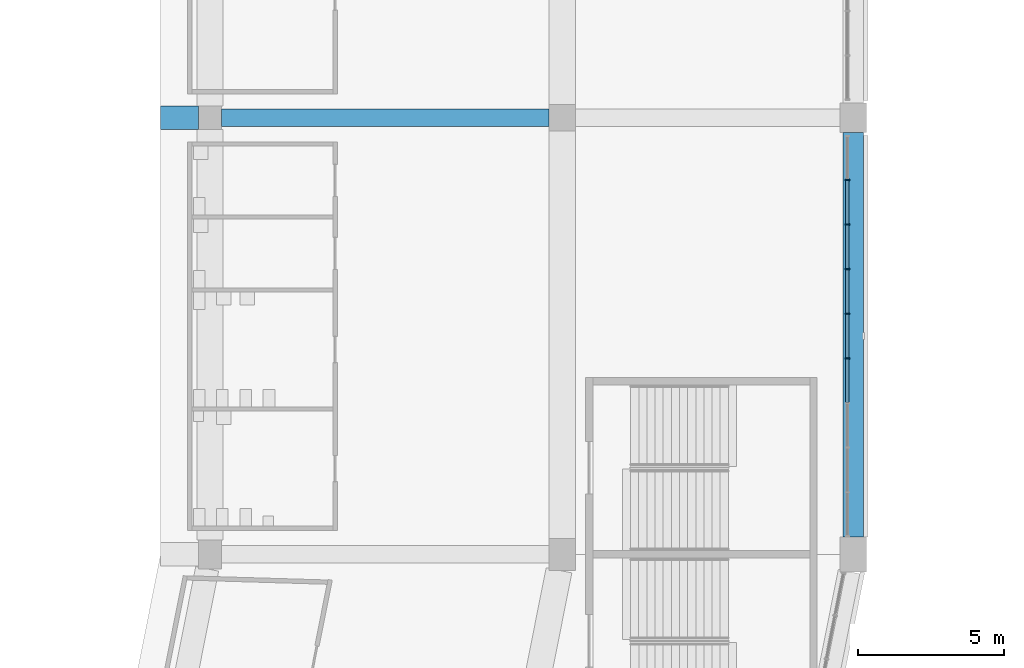
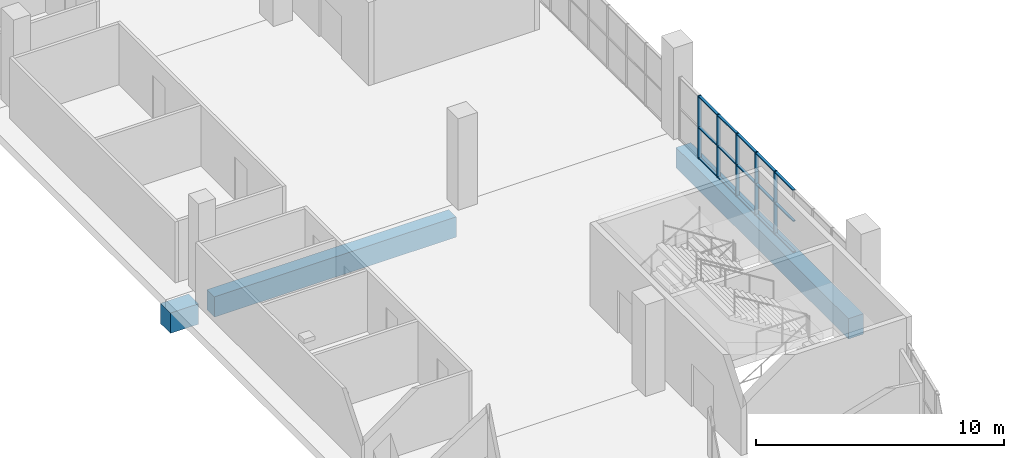
# One storey, part 27 of 199: 20 members, 3 beams, 1 element without a shape of its own.
"""IFC4 building model written with IfcOpenShell, lengths in metres."""

from ifc_helpers import new_model, si_unit, direction, frame, origin, origin_2d, place, context, subcontext, project, spatial, rectangle, extrude, material, material_profile, profile_set, type_object, element, aggregate, save


model = new_model("IFC4")

# Units and contexts
model_context = context("Model", 3, precision=1e-05, world=origin(), true_north=direction((0.0, 1.0)))
body_context = subcontext(model_context, "Body", "Model", "MODEL_VIEW")
ifc_project = project(units=[si_unit("LENGTHUNIT", "METRE"), si_unit("AREAUNIT", "SQUARE_METRE"), si_unit("VOLUMEUNIT", "CUBIC_METRE"), si_unit("PLANEANGLEUNIT", "RADIAN"), si_unit("MASSUNIT", "GRAM", prefix="KILO")], contexts=[model_context])

# Site, building, storey
site_placement = place(None, origin())
site = spatial("IfcSite", under=ifc_project, at=site_placement, CompositionType="ELEMENT")
building_placement = place(site_placement, origin())
building = spatial("IfcBuilding", under=site, at=building_placement, Name="Ogive Plaza Stadium", CompositionType="ELEMENT")
storey_placement = place(building_placement, frame((0.0, 0.0, 4.5)))
storey = spatial("IfcBuildingStorey", under=building, at=storey_placement, Name="L01", CompositionType="ELEMENT", Elevation=4.5)

# Curtain wall, members
ifc_material_1 = material(Name="Bronze-anodised aluminium with laminated glass", Category="aluminium")
curtain_wall_type = type_object("IfcCurtainWallType", Name="Lancet curtain wall", PredefinedType="NOTDEFINED", material=ifc_material_1)
curtain_wall_placement = place(storey_placement, origin())
curtain_wall = element("IfcCurtainWall", 1, at=curtain_wall_placement, inside=storey, type_object=curtain_wall_type, Name="CURTAIN WALL B07 L01", PredefinedType="NOTDEFINED")
ifc_material_2 = material(Name="Bronze-anodised aluminium", Category="aluminium")
ifc_material_profile_1 = material_profile(ifc_material_2, rectangle(XDim=0.14990234375, YDim=0.050048828125, at=origin_2d()), Name="AL 150x50")
ifc_profile_set_1 = profile_set([ifc_material_profile_1], Name="Bronze-anodised aluminium")
member_type_1 = type_object("IfcMemberType", Name="Curtain wall mullion 50x150", PredefinedType="MULLION", material=ifc_profile_set_1)
member_1_placement = place(storey_placement, frame((83.800048828125, -39.63330078125, 0.0), z_axis=(0.0, 0.0, 1.0), x_axis=(1.0, 0.0, 0.0)))
member_1 = element("IfcMember", 2, at=member_1_placement, type_object=member_type_1, Name="CW-B07-L01 mullion 2", PredefinedType="MULLION", context=body_context, shape_type="SweptSolid", body=[
    extrude(rectangle(XDim=0.14990234375, YDim=0.050048828125, at=origin_2d()), origin(), (0.0, 0.0, 1.0), 3.090087890625),
])
member_2_placement = place(storey_placement, frame((83.800048828125, -41.166748046875, 0.0), z_axis=(0.0, 0.0, 1.0), x_axis=(1.0, 0.0, 0.0)))
member_2 = element("IfcMember", 3, at=member_2_placement, type_object=member_type_1, Name="CW-B07-L01 mullion 3", PredefinedType="MULLION", context=body_context, shape_type="SweptSolid", body=[
    extrude(rectangle(XDim=0.14990234375, YDim=0.050048828125, at=origin_2d()), origin(), (0.0, 0.0, 1.0), 3.090087890625),
])
member_3_placement = place(storey_placement, frame((83.800048828125, -42.699951171875, 0.0), z_axis=(0.0, 0.0, 1.0), x_axis=(1.0, 0.0, 0.0)))
member_3 = element("IfcMember", 4, at=member_3_placement, type_object=member_type_1, Name="CW-B07-L01 mullion 4", PredefinedType="MULLION", context=body_context, shape_type="SweptSolid", body=[
    extrude(rectangle(XDim=0.14990234375, YDim=0.050048828125, at=origin_2d()), origin(), (0.0, 0.0, 1.0), 3.090087890625),
])
member_4_placement = place(storey_placement, frame((83.800048828125, -44.2333984375, 0.0), z_axis=(0.0, 0.0, 1.0), x_axis=(1.0, 0.0, 0.0)))
member_4 = element("IfcMember", 5, at=member_4_placement, type_object=member_type_1, Name="CW-B07-L01 mullion 5", PredefinedType="MULLION", context=body_context, shape_type="SweptSolid", body=[
    extrude(rectangle(XDim=0.14990234375, YDim=0.050048828125, at=origin_2d()), origin(), (0.0, 0.0, 1.0), 3.090087890625),
])
member_5_placement = place(storey_placement, frame((83.800048828125, -45.7666015625, 0.0), z_axis=(0.0, 0.0, 1.0), x_axis=(1.0, 0.0, 0.0)))
member_5 = element("IfcMember", 6, at=member_5_placement, type_object=member_type_1, Name="CW-B07-L01 mullion 6", PredefinedType="MULLION", context=body_context, shape_type="SweptSolid", body=[
    extrude(rectangle(XDim=0.14990234375, YDim=0.050048828125, at=origin_2d()), origin(), (0.0, 0.0, 1.0), 3.090087890625),
])
ifc_material_3 = material(Name="Bronze-anodised aluminium", Category="aluminium")
ifc_material_profile_2 = material_profile(ifc_material_3, rectangle(XDim=0.1201171875, YDim=0.050048828125, at=origin_2d()), Name="AL 120x50")
ifc_profile_set_2 = profile_set([ifc_material_profile_2], Name="Bronze-anodised aluminium")
member_type_2 = type_object("IfcMemberType", Name="Curtain wall transom 50x120", PredefinedType="USERDEFINED", material=ifc_profile_set_2)
member_6_placement = place(storey_placement, frame((83.800048828125, -39.658447265625, 0.02490234375), z_axis=(0.0, -1.0, 0.0), x_axis=(1.0, 0.0, 0.0)))
member_6 = element("IfcMember", 7, at=member_6_placement, type_object=member_type_2, Name="CW-B07-L01 transom 2.1", ObjectType="TRANSOM", PredefinedType="USERDEFINED", context=body_context, shape_type="SweptSolid", body=[
    extrude(rectangle(XDim=0.1201171875, YDim=0.050048828125, at=origin_2d()), origin(), (0.0, 0.0, 1.0), 1.483154296875),
])
member_7_placement = place(storey_placement, frame((83.800048828125, -39.658447265625, 1.544921875), z_axis=(0.0, -1.0, 0.0), x_axis=(1.0, 0.0, 0.0)))
member_7 = element("IfcMember", 8, at=member_7_placement, type_object=member_type_2, Name="CW-B07-L01 transom 2.2", ObjectType="TRANSOM", PredefinedType="USERDEFINED", context=body_context, shape_type="SweptSolid", body=[
    extrude(rectangle(XDim=0.1201171875, YDim=0.050048828125, at=origin_2d()), origin(), (0.0, 0.0, 1.0), 1.483154296875),
])
member_8_placement = place(storey_placement, frame((83.800048828125, -39.658447265625, 3.06494140625), z_axis=(0.0, -1.0, 0.0), x_axis=(1.0, 0.0, 0.0)))
member_8 = element("IfcMember", 9, at=member_8_placement, type_object=member_type_2, Name="CW-B07-L01 transom 2.3", ObjectType="TRANSOM", PredefinedType="USERDEFINED", context=body_context, shape_type="SweptSolid", body=[
    extrude(rectangle(XDim=0.1201171875, YDim=0.050048828125, at=origin_2d()), origin(), (0.0, 0.0, 1.0), 1.483154296875),
])
member_9_placement = place(storey_placement, frame((83.800048828125, -41.191650390625, 0.02490234375), z_axis=(0.0, -1.0, 0.0), x_axis=(1.0, 0.0, 0.0)))
member_9 = element("IfcMember", 10, at=member_9_placement, type_object=member_type_2, Name="CW-B07-L01 transom 3.1", ObjectType="TRANSOM", PredefinedType="USERDEFINED", context=body_context, shape_type="SweptSolid", body=[
    extrude(rectangle(XDim=0.1201171875, YDim=0.050048828125, at=origin_2d()), origin(), (0.0, 0.0, 1.0), 1.4833984375),
])
member_10_placement = place(storey_placement, frame((83.800048828125, -41.191650390625, 1.544921875), z_axis=(0.0, -1.0, 0.0), x_axis=(1.0, 0.0, 0.0)))
member_10 = element("IfcMember", 11, at=member_10_placement, type_object=member_type_2, Name="CW-B07-L01 transom 3.2", ObjectType="TRANSOM", PredefinedType="USERDEFINED", context=body_context, shape_type="SweptSolid", body=[
    extrude(rectangle(XDim=0.1201171875, YDim=0.050048828125, at=origin_2d()), origin(), (0.0, 0.0, 1.0), 1.4833984375),
])
member_11_placement = place(storey_placement, frame((83.800048828125, -41.191650390625, 3.06494140625), z_axis=(0.0, -1.0, 0.0), x_axis=(1.0, 0.0, 0.0)))
member_11 = element("IfcMember", 12, at=member_11_placement, type_object=member_type_2, Name="CW-B07-L01 transom 3.3", ObjectType="TRANSOM", PredefinedType="USERDEFINED", context=body_context, shape_type="SweptSolid", body=[
    extrude(rectangle(XDim=0.1201171875, YDim=0.050048828125, at=origin_2d()), origin(), (0.0, 0.0, 1.0), 1.4833984375),
])
member_12_placement = place(storey_placement, frame((83.800048828125, -42.72509765625, 0.02490234375), z_axis=(0.0, -1.0, 0.0), x_axis=(1.0, 0.0, 0.0)))
member_12 = element("IfcMember", 13, at=member_12_placement, type_object=member_type_2, Name="CW-B07-L01 transom 4.1", ObjectType="TRANSOM", PredefinedType="USERDEFINED", context=body_context, shape_type="SweptSolid", body=[
    extrude(rectangle(XDim=0.1201171875, YDim=0.050048828125, at=origin_2d()), origin(), (0.0, 0.0, 1.0), 1.483154296875),
])
member_13_placement = place(storey_placement, frame((83.800048828125, -42.72509765625, 1.544921875), z_axis=(0.0, -1.0, 0.0), x_axis=(1.0, 0.0, 0.0)))
member_13 = element("IfcMember", 14, at=member_13_placement, type_object=member_type_2, Name="CW-B07-L01 transom 4.2", ObjectType="TRANSOM", PredefinedType="USERDEFINED", context=body_context, shape_type="SweptSolid", body=[
    extrude(rectangle(XDim=0.1201171875, YDim=0.050048828125, at=origin_2d()), origin(), (0.0, 0.0, 1.0), 1.483154296875),
])
member_14_placement = place(storey_placement, frame((83.800048828125, -42.72509765625, 3.06494140625), z_axis=(0.0, -1.0, 0.0), x_axis=(1.0, 0.0, 0.0)))
member_14 = element("IfcMember", 15, at=member_14_placement, type_object=member_type_2, Name="CW-B07-L01 transom 4.3", ObjectType="TRANSOM", PredefinedType="USERDEFINED", context=body_context, shape_type="SweptSolid", body=[
    extrude(rectangle(XDim=0.1201171875, YDim=0.050048828125, at=origin_2d()), origin(), (0.0, 0.0, 1.0), 1.483154296875),
])
member_15_placement = place(storey_placement, frame((83.800048828125, -44.25830078125, 0.02490234375), z_axis=(0.0, -1.0, 0.0), x_axis=(1.0, 0.0, 0.0)))
member_15 = element("IfcMember", 16, at=member_15_placement, type_object=member_type_2, Name="CW-B07-L01 transom 5.1", ObjectType="TRANSOM", PredefinedType="USERDEFINED", context=body_context, shape_type="SweptSolid", body=[
    extrude(rectangle(XDim=0.1201171875, YDim=0.050048828125, at=origin_2d()), origin(), (0.0, 0.0, 1.0), 1.4833984375),
])
member_16_placement = place(storey_placement, frame((83.800048828125, -44.25830078125, 1.544921875), z_axis=(0.0, -1.0, 0.0), x_axis=(1.0, 0.0, 0.0)))
member_16 = element("IfcMember", 17, at=member_16_placement, type_object=member_type_2, Name="CW-B07-L01 transom 5.2", ObjectType="TRANSOM", PredefinedType="USERDEFINED", context=body_context, shape_type="SweptSolid", body=[
    extrude(rectangle(XDim=0.1201171875, YDim=0.050048828125, at=origin_2d()), origin(), (0.0, 0.0, 1.0), 1.4833984375),
])
member_17_placement = place(storey_placement, frame((83.800048828125, -44.25830078125, 3.06494140625), z_axis=(0.0, -1.0, 0.0), x_axis=(1.0, 0.0, 0.0)))
member_17 = element("IfcMember", 18, at=member_17_placement, type_object=member_type_2, Name="CW-B07-L01 transom 5.3", ObjectType="TRANSOM", PredefinedType="USERDEFINED", context=body_context, shape_type="SweptSolid", body=[
    extrude(rectangle(XDim=0.1201171875, YDim=0.050048828125, at=origin_2d()), origin(), (0.0, 0.0, 1.0), 1.4833984375),
])
member_18_placement = place(storey_placement, frame((83.800048828125, -45.791748046875, 0.02490234375), z_axis=(0.0, -1.0, 0.0), x_axis=(1.0, 0.0, 0.0)))
member_18 = element("IfcMember", 19, at=member_18_placement, type_object=member_type_2, Name="CW-B07-L01 transom 6.1", ObjectType="TRANSOM", PredefinedType="USERDEFINED", context=body_context, shape_type="SweptSolid", body=[
    extrude(rectangle(XDim=0.1201171875, YDim=0.050048828125, at=origin_2d()), origin(), (0.0, 0.0, 1.0), 1.483154296875),
])
member_19_placement = place(storey_placement, frame((83.800048828125, -45.791748046875, 1.544921875), z_axis=(0.0, -1.0, 0.0), x_axis=(1.0, 0.0, 0.0)))
member_19 = element("IfcMember", 20, at=member_19_placement, type_object=member_type_2, Name="CW-B07-L01 transom 6.2", ObjectType="TRANSOM", PredefinedType="USERDEFINED", context=body_context, shape_type="SweptSolid", body=[
    extrude(rectangle(XDim=0.1201171875, YDim=0.050048828125, at=origin_2d()), origin(), (0.0, 0.0, 1.0), 1.483154296875),
])
member_20_placement = place(storey_placement, frame((83.800048828125, -45.791748046875, 3.06494140625), z_axis=(0.0, -1.0, 0.0), x_axis=(1.0, 0.0, 0.0)))
member_20 = element("IfcMember", 21, at=member_20_placement, type_object=member_type_2, Name="CW-B07-L01 transom 6.3", ObjectType="TRANSOM", PredefinedType="USERDEFINED", context=body_context, shape_type="SweptSolid", body=[
    extrude(rectangle(XDim=0.1201171875, YDim=0.050048828125, at=origin_2d()), origin(), (0.0, 0.0, 1.0), 1.483154296875),
])
aggregate(curtain_wall, [member_1, member_2, member_3, member_4, member_5, member_6, member_7, member_8, member_9, member_10, member_11, member_12, member_13, member_14, member_15, member_16, member_17, member_18, member_19, member_20])

# Beams
ifc_material_4 = material(Name="Concrete C40/50", Category="concrete")
ifc_material_profile_3 = material_profile(ifc_material_4, rectangle(XDim=0.60009765625, YDim=1.0, at=origin_2d()), Name="RC 600x1000")
ifc_profile_set_3 = profile_set([ifc_material_profile_3], Name="Concrete C40/50")
beam_type_1 = type_object("IfcBeamType", Name="RC radial beam 600x1000", PredefinedType="BEAM", material=ifc_profile_set_3)
beam_1_placement = place(storey_placement, frame((62.300048828125, -37.5, -0.909912109375), z_axis=(1.0, 0.0, 0.0), x_axis=(0.0, 1.0, 0.0)))
element("IfcBeam", 22, at=beam_1_placement, inside=storey, type_object=beam_type_1, Name="Radial beam L01 R07 F3F4", PredefinedType="BEAM", context=body_context, shape_type="SweptSolid", body=[
    extrude(rectangle(XDim=0.60009765625, YDim=1.0, at=origin_2d()), origin(), (0.0, 0.0, 1.0), 11.25),
])
ifc_material_5 = material(Name="Concrete C40/50", Category="concrete")
ifc_material_profile_4 = material_profile(ifc_material_5, rectangle(XDim=0.800048828125, YDim=1.0, at=origin_2d()), Name="RC 800x1000")
ifc_profile_set_4 = profile_set([ifc_material_profile_4], Name="Concrete C40/50")
beam_type_2 = type_object("IfcBeamType", Name="RC radial beam 800x1000", PredefinedType="BEAM", material=ifc_profile_set_4)
beam_2_placement = place(storey_placement, frame((60.199951171875, -37.5, -0.909912109375), z_axis=(1.0, 0.0, 0.0), x_axis=(0.0, 1.0, 0.0)))
element("IfcBeam", 23, at=beam_2_placement, inside=storey, type_object=beam_type_2, Name="Raker tail beam LT R07", PredefinedType="BEAM", context=body_context, shape_type="SweptSolid", body=[
    extrude(rectangle(XDim=0.800048828125, YDim=1.0, at=origin_2d()), origin(), (0.0, 0.0, 1.0), 1.300048828125),
])
ifc_material_6 = material(Name="Concrete C40/50", Category="concrete")
ifc_material_profile_5 = material_profile(ifc_material_6, rectangle(XDim=0.699951171875, YDim=1.0, at=origin_2d()), Name="RC 700x1000")
ifc_profile_set_5 = profile_set([ifc_material_profile_5], Name="Concrete C40/50")
beam_type_3 = type_object("IfcBeamType", Name="RC spandrel beam 700x1000", PredefinedType="SPANDREL", material=ifc_profile_set_5)
beam_3_placement = place(storey_placement, frame((84.0, -38.0, -0.909912109375), z_axis=(0.0, -1.0, 0.0), x_axis=(1.0, 0.0, 0.0)))
element("IfcBeam", 24, at=beam_3_placement, inside=storey, type_object=beam_type_3, Name="Ring beam F5 L01 B07", PredefinedType="SPANDREL", context=body_context, shape_type="SweptSolid", body=[
    extrude(rectangle(XDim=0.699951171875, YDim=1.0, at=origin_2d()), origin(), (0.0, 0.0, 1.0), 13.89990234375),
])

save(model, "model.ifc")
